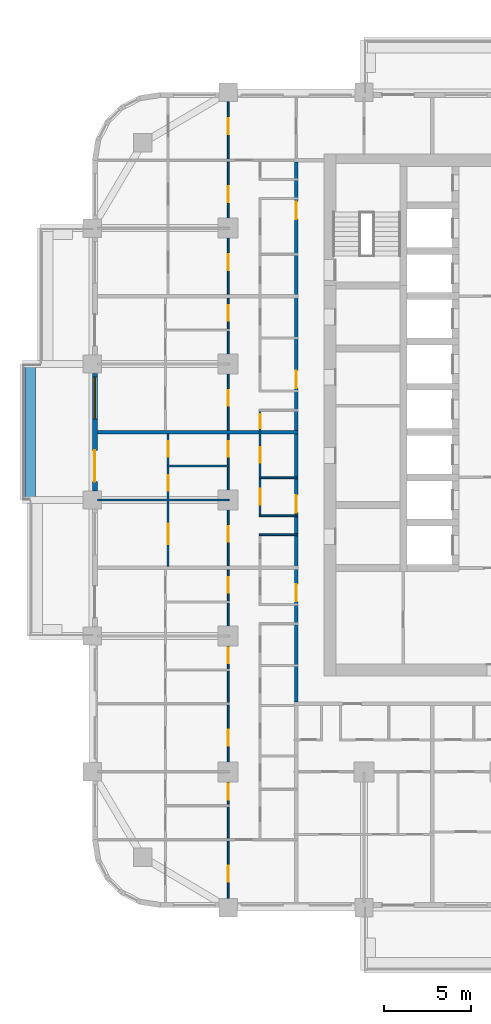
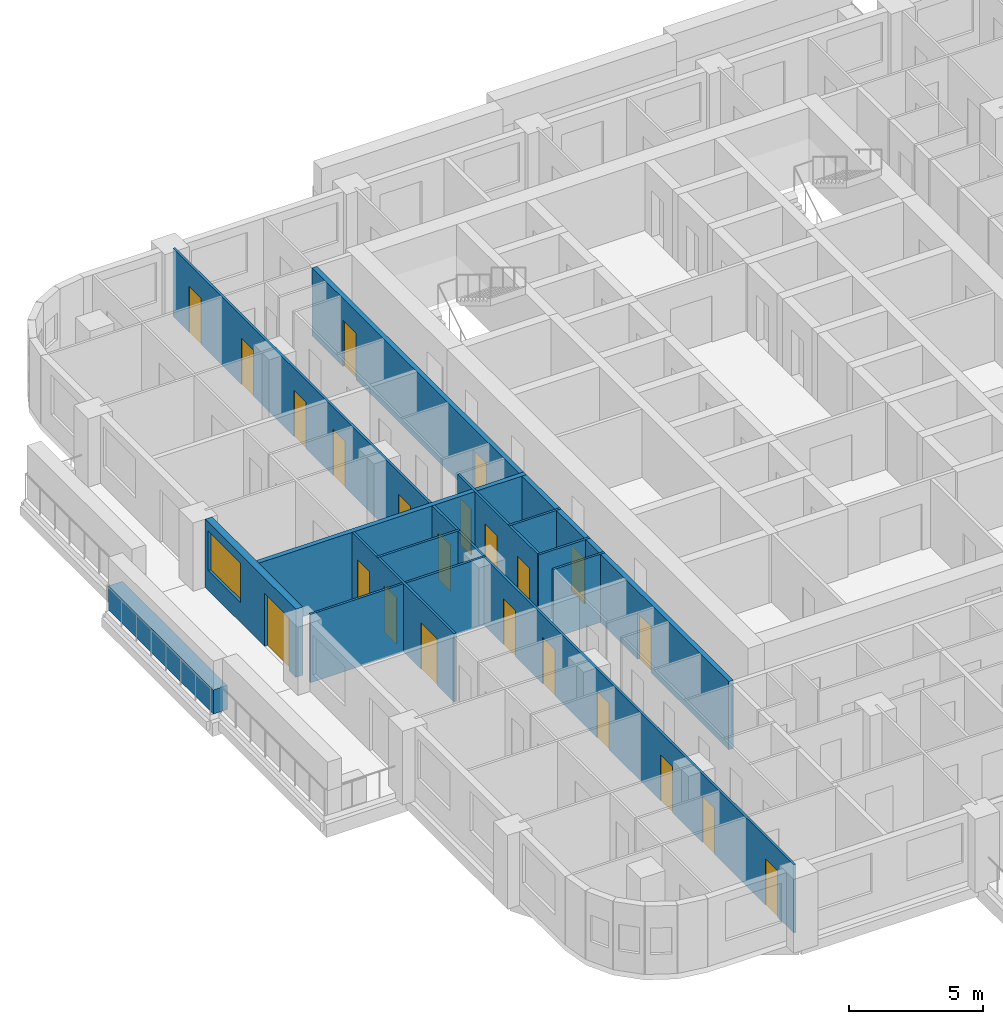
# One storey, part 5 of 17: 23 doors, 12 walls, 1 window, 24 openings.
"""IFC4 building model written with IfcOpenShell, lengths in metres."""

import ifcopenshell
import ifcopenshell.guid

model = None  # the IFC model being written
_history = None  # IfcOwnerHistory: only IFC2X3 demands one
_inside = {}  # id of a spatial element -> (the spatial element, [elements in it])
_under = {}  # id of a project, library or spatial element -> (it, [spatial elements below it])
_declared = {}  # id of a project -> (the project, [libraries it declares])
_typed = {}  # id of a type object -> (the type object, [elements of that type])
_made_of = {}  # id of a material, layer set ... -> (it, [elements and type objects made of it])


def new_model(schema):
    """Start an empty IFC model of exactly this schema.

    Asked for "IFC4X3", IfcOpenShell would pick the latest addendum, in which some entities
    have other attributes; the version numbers below select the first issue.
    IFC2X3 requires an IfcOwnerHistory on every rooted entity: one is made here for all.
    """
    global model, _history
    if schema == "IFC4X3":
        model = ifcopenshell.file(schema_version=(4, 3, 0, 0))
    else:
        model = ifcopenshell.file(schema=schema)
    _inside.clear()
    _under.clear()
    _declared.clear()
    _typed.clear()
    _made_of.clear()
    _history = None
    if model.schema == "IFC2X3":
        org = make("IfcOrganization", Name="unknown")
        user = make(
            "IfcPersonAndOrganization",
            ThePerson=make("IfcPerson", FamilyName="unknown"),
            TheOrganization=org,
        )
        app = make(
            "IfcApplication",
            ApplicationDeveloper=org,
            Version="unknown",
            ApplicationFullName="unknown",
            ApplicationIdentifier="unknown",
        )
        _history = make(
            "IfcOwnerHistory",
            OwningUser=user,
            OwningApplication=app,
            ChangeAction="ADDED",
            CreationDate=0,
        )
    return model


def make(cls, **values):
    """One entity of the class cls with the attributes given. An attribute that is None is left unset."""
    return model.create_entity(
        cls, **{name: value for name, value in values.items() if value is not None}
    )


def rooted(cls, **values):
    """An entity with a GlobalId (a new one), such as an element, a storey or a relation."""
    return make(cls, GlobalId=ifcopenshell.guid.new(), OwnerHistory=_history, **values)


def si_unit(unit_type, name, prefix=None):
    """IfcSIUnit, for example si_unit("LENGTHUNIT", "METRE", prefix="MILLI")."""
    return make("IfcSIUnit", UnitType=unit_type, Prefix=prefix, Name=name)


def assignment(units):
    """IfcUnitAssignment: the units of a project."""
    return None if units is None else make("IfcUnitAssignment", Units=units)


def point(xyz):
    """IfcCartesianPoint."""
    return None if xyz is None else make("IfcCartesianPoint", Coordinates=xyz)


def direction(xyz):
    """IfcDirection."""
    return None if xyz is None else make("IfcDirection", DirectionRatios=xyz)


def frame(location, z_axis=None, x_axis=None):
    """IfcAxis2Placement3D, a coordinate frame: its origin and axes. An axis left out is left unset."""
    return make(
        "IfcAxis2Placement3D",
        Location=point(location),
        Axis=direction(z_axis),
        RefDirection=direction(x_axis),
    )


def frame_2d(location, x_axis=None):
    """IfcAxis2Placement2D, a coordinate frame in the plane: its origin and x axis."""
    return make(
        "IfcAxis2Placement2D", Location=point(location), RefDirection=direction(x_axis)
    )


def origin():
    """The frame at (0, 0, 0) with its axes left unset."""
    return frame((0.0, 0.0, 0.0))


def place(relative_to, where):
    """IfcLocalPlacement: puts the frame where relative to a parent placement (None: the world)."""
    return make(
        "IfcLocalPlacement", PlacementRelTo=relative_to, RelativePlacement=where
    )


def context(
    kind, dimensions, precision=None, world=None, true_north=None, identifier=None
):
    """IfcGeometricRepresentationContext, for example the 3D "Model" context."""
    return make(
        "IfcGeometricRepresentationContext",
        ContextIdentifier=identifier,
        ContextType=kind,
        CoordinateSpaceDimension=dimensions,
        Precision=precision,
        WorldCoordinateSystem=world,
        TrueNorth=true_north,
    )


def subcontext(parent, identifier, kind, view, scale=None):
    """IfcGeometricRepresentationSubContext, for example "Body" below "Model"."""
    return make(
        "IfcGeometricRepresentationSubContext",
        ContextIdentifier=identifier,
        ContextType=kind,
        ParentContext=parent,
        TargetScale=scale,
        TargetView=view,
    )


def project(units=None, contexts=None):
    """IfcProject with its units and contexts."""
    return rooted(
        "IfcProject",
        Name="project",
        RepresentationContexts=contexts,
        UnitsInContext=assignment(units),
    )


def spatial(cls, under=None, at=None, **own):
    """A site, building, storey or space (cls), placed at a placement, below another one or the project."""
    s = rooted(cls, ObjectPlacement=at, **own)
    if under is not None:
        _under.setdefault(under.id(), (under, []))[1].append(s)
    return s


def profile(cls, at=None, kind="AREA", **sizes):
    """A parametric profile (cls). Its sizes go by their IFC names, for example OverallWidth=200.0."""
    return make(cls, ProfileType=kind, Position=at, **sizes)


def rectangle(**sizes):
    """IfcRectangleProfileDef."""
    return profile("IfcRectangleProfileDef", **sizes)


def extrude(swept, where, along, depth):
    """IfcExtrudedAreaSolid: the profile swept, set in the frame where, extruded along a direction by depth."""
    return make(
        "IfcExtrudedAreaSolid",
        SweptArea=swept,
        Position=where,
        ExtrudedDirection=direction(along),
        Depth=depth,
    )


def shape(context_of_items, identifier, shape_type, items):
    """IfcShapeRepresentation: the items that make up one representation, for example the "Body"."""
    return make(
        "IfcShapeRepresentation",
        ContextOfItems=context_of_items,
        RepresentationIdentifier=identifier,
        RepresentationType=shape_type,
        Items=items,
    )


def material(Name=None, Category=None):
    """IfcMaterial."""
    return make("IfcMaterial", Name=Name, Category=Category)


def layer(
    of_material, thickness, ventilated=None, Name=None, Category=None, Priority=None
):
    """IfcMaterialLayer: one layer of a wall or slab, of a material (None: an air gap)."""
    return make(
        "IfcMaterialLayer",
        Material=of_material,
        LayerThickness=thickness,
        IsVentilated=ventilated,
        Name=Name,
        Category=Category,
        Priority=Priority,
    )


def layer_set(layers, Name=None):
    """IfcMaterialLayerSet."""
    return make("IfcMaterialLayerSet", MaterialLayers=layers, LayerSetName=Name)


def made_of(thing, what):
    """Note that an element or type object is made of a material, layer set ...; save() writes the relation."""
    if what is not None:
        _made_of.setdefault(what.id(), (what, []))[1].append(thing)
    return thing


def type_object(cls, material=None, **own):
    """A type object (cls), such as IfcWallType, which elements share."""
    return made_of(rooted(cls, **own), material)


def element(
    cls,
    number,
    at=None,
    inside=None,
    cuts=None,
    type_object=None,
    material=None,
    context=None,
    identifier="Body",
    shape_type=None,
    held_by="IfcProductDefinitionShape",
    body=None,
    shapes=None,
    **own,
):
    """One element of the class cls, such as IfcWall. Its Tag is "e" and its number.

    at: its placement. inside: the storey or other place that contains it. cuts: it is an
    opening in that element (IfcRelVoidsElement). A single representation is given by context,
    identifier, shape_type and body (its items); several are given by shapes. held_by: the class
    of the entity that holds the representations. save() writes the other relations.
    """
    e = rooted(cls, Tag="e%d" % number, ObjectPlacement=at, **own)
    if body is not None:
        shapes = [shape(context, identifier, shape_type, body)]
    if shapes is not None:
        e.Representation = make(held_by, Representations=shapes)
    if inside is not None:
        _inside.setdefault(inside.id(), (inside, []))[1].append(e)
    if cuts is not None:
        rooted(
            "IfcRelVoidsElement", RelatingBuildingElement=cuts, RelatedOpeningElement=e
        )
    if type_object is not None:
        _typed.setdefault(type_object.id(), (type_object, []))[1].append(e)
    return made_of(e, material)


def fill(opening, filler):
    """IfcRelFillsElement: the door or window that sits in an opening."""
    return rooted(
        "IfcRelFillsElement",
        RelatingOpeningElement=opening,
        RelatedBuildingElement=filler,
    )


def aggregate(whole, parts):
    """IfcRelAggregates: a whole, such as a stair, and the parts it consists of."""
    return rooted("IfcRelAggregates", RelatingObject=whole, RelatedObjects=parts)


def save(model, path):
    """Write the relations noted so far, then the file.

    IfcRelAggregates (storeys below a building ...), IfcRelContainedInSpatialStructure (elements
    in a storey), IfcRelDefinesByType, IfcRelAssociatesMaterial and IfcRelDeclares: one each for
    every whole, place, type object, material and project.
    """
    for whole, parts in _under.values():
        aggregate(whole, parts)
    for where, things in _inside.values():
        rooted(
            "IfcRelContainedInSpatialStructure",
            RelatedElements=things,
            RelatingStructure=where,
        )
    for kind, things in _typed.values():
        rooted("IfcRelDefinesByType", RelatedObjects=things, RelatingType=kind)
    for what, things in _made_of.values():
        rooted("IfcRelAssociatesMaterial", RelatedObjects=things, RelatingMaterial=what)
    for by, libraries in _declared.values():
        rooted("IfcRelDeclares", RelatingContext=by, RelatedDefinitions=libraries)
    model.write(path)


model = new_model("IFC4")

# Units and contexts
model_context = context("Model", 3, precision=1e-05, world=origin(), true_north=direction((0.0, 1.0)))
body_context = subcontext(model_context, "Body", "Model", "MODEL_VIEW")
ifc_project = project(units=[si_unit("LENGTHUNIT", "METRE"), si_unit("AREAUNIT", "SQUARE_METRE"), si_unit("VOLUMEUNIT", "CUBIC_METRE"), si_unit("PLANEANGLEUNIT", "RADIAN"), si_unit("MASSUNIT", "GRAM", prefix="KILO")], contexts=[model_context])

# Site, building, storey
site_placement = place(None, origin())
site = spatial("IfcSite", under=ifc_project, at=site_placement, CompositionType="ELEMENT")
building_placement = place(site_placement, origin())
building = spatial("IfcBuilding", under=site, at=building_placement, Name="Ludao Terraces", CompositionType="ELEMENT")
storey_placement = place(building_placement, frame((0.0, 0.0, 43.300048828125)))
storey = spatial("IfcBuildingStorey", under=building, at=storey_placement, Name="L11", CompositionType="ELEMENT", Elevation=43.300048828125)

# Wall
ifc_material_1 = material(Name="Concrete C40", Category="concrete")
ifc_layer_1 = layer(ifc_material_1, 0.60009765625)
ifc_layer_set_1 = layer_set([ifc_layer_1], Name="ENV Planter trough 600")
wall_type_1 = type_object("IfcWallType", Name="ENV Planter trough 600", PredefinedType="USERDEFINED", material=ifc_layer_set_1)
wall_1_placement = place(storey_placement, frame((58.050048828125, 65.0, 0.0), z_axis=(0.0, 0.0, 1.0), x_axis=(0.0, 1.0, 0.0)))
element("IfcWall", 1, at=wall_1_placement, inside=storey, type_object=wall_type_1, Name="PL-L11-W3", ObjectType="PLANTER", PredefinedType="USERDEFINED", context=body_context, shape_type="SweptSolid", body=[
    extrude(rectangle(XDim=7.800048828125, YDim=0.60009765625, at=frame_2d((3.89990234375, 0.0))), origin(), (0.0, 0.0, 1.0), 1.099853515625),
])

# Wall, openings, door, window
ifc_material_2 = material(Name="Granite cladding", Category="masonry")
ifc_layer_2 = layer(ifc_material_2, 0.0400390625, Category="stone")
ifc_material_3 = material(Name="Mineral wool")
ifc_layer_3 = layer(ifc_material_3, 0.06005859375)
ifc_layer_4 = layer(ifc_material_1, 0.199951171875, Category="concrete")
ifc_layer_set_2 = layer_set([ifc_layer_2, ifc_layer_3, ifc_layer_4], Name="ENV Stone-clad wall 300")
wall_type_2 = type_object("IfcWallType", Name="ENV Stone-clad wall 300", PredefinedType="SOLIDWALL", material=ifc_layer_set_2)
wall_2_placement = place(storey_placement, frame((61.75, 65.52490234375, 0.0), z_axis=(0.0, 0.0, 1.0), x_axis=(0.0, 1.0, 0.0)))
wall_2 = element("IfcWall", 2, at=wall_2_placement, inside=storey, type_object=wall_type_2, Name="EW-L11-W4", PredefinedType="SOLIDWALL", context=body_context, shape_type="SweptSolid", body=[
    extrude(rectangle(XDim=6.75, YDim=0.300048828125, at=frame_2d((3.375, 0.0))), origin(), (0.0, 0.0, 1.0), 3.099853515625),
])
opening_1_placement = place(wall_2_placement, frame((0.52490234375, 0.0, 0.0)))
opening_1 = element("IfcOpeningElement", 3, at=opening_1_placement, cuts=wall_2, Name="Opening BD", PredefinedType="OPENING", context=body_context, shape_type="SweptSolid", body=[
    extrude(rectangle(XDim=1.800048828125, YDim=2.39990234375, at=frame_2d((0.89990234375, 1.199951171875))), frame((0.0, 0.16015625, 0.0), z_axis=(0.0, -1.0, 0.0), x_axis=(1.0, 0.0, 0.0)), (0.0, 0.0, 1.0), 0.320068359375),
])
opening_2_placement = place(wall_2_placement, frame((4.125, 0.0, 0.89990234375)))
opening_2 = element("IfcOpeningElement", 4, at=opening_2_placement, cuts=wall_2, Name="Opening W1", PredefinedType="OPENING", context=body_context, shape_type="SweptSolid", body=[
    extrude(rectangle(XDim=2.39990234375, YDim=1.800048828125, at=frame_2d((1.199951171875, 0.89990234375))), frame((0.0, 0.16015625, 0.0), z_axis=(0.0, -1.0, 0.0), x_axis=(1.0, 0.0, 0.0)), (0.0, 0.0, 1.0), 0.320068359375),
])
ifc_material_4 = material(Name="Aluminium glazed door", Category="aluminium")
ifc_layer_5 = layer(ifc_material_4, 0.06005859375)
ifc_layer_set_3 = layer_set([ifc_layer_5], Name="ENV Balcony door BD 1800x2400")
door_type_1 = type_object("IfcDoorType", Name="ENV Balcony door BD 1800x2400", OperationType="DOUBLE_DOOR_SINGLE_SWING", PredefinedType="DOOR", material=ifc_layer_set_3)
door_1_placement = place(opening_1_placement, origin())
door_1 = element("IfcDoor", 5, at=door_1_placement, inside=storey, type_object=door_type_1, Name="BD-L11-W4-1", OperationType="DOUBLE_DOOR_SINGLE_SWING", OverallHeight=2.39990234375, OverallWidth=1.800048828125, PredefinedType="DOOR", context=body_context, shape_type="SweptSolid", body=[
    extrude(rectangle(XDim=1.800048828125, YDim=2.39990234375, at=frame_2d((0.89990234375, 1.199951171875))), frame((0.0, 0.02490234375, 0.0), z_axis=(0.0, -1.0, 0.0), x_axis=(1.0, 0.0, 0.0)), (0.0, 0.0, 1.0), 0.050048828125),
])
fill(opening_1, door_1)
ifc_material_5 = material(Name="Clear glass in aluminium frame", Category="aluminium")
ifc_layer_6 = layer(ifc_material_5, 0.06005859375)
ifc_layer_set_4 = layer_set([ifc_layer_6], Name="ENV Window W1 2400x1800")
window_type = type_object("IfcWindowType", Name="ENV Window W1 2400x1800", PartitioningType="DOUBLE_PANEL_VERTICAL", PredefinedType="WINDOW", material=ifc_layer_set_4)
window_placement = place(opening_2_placement, origin())
window = element("IfcWindow", 6, at=window_placement, inside=storey, type_object=window_type, Name="W-L11-W4-2", OverallHeight=1.800048828125, OverallWidth=2.39990234375, PartitioningType="DOUBLE_PANEL_VERTICAL", PredefinedType="WINDOW", context=body_context, shape_type="SweptSolid", body=[
    extrude(rectangle(XDim=2.39990234375, YDim=1.800048828125, at=frame_2d((1.199951171875, 0.89990234375))), frame((0.0, 0.030029296875, 0.0), z_axis=(0.0, -1.0, 0.0), x_axis=(1.0, 0.0, 0.0)), (0.0, 0.0, 1.0), 0.06005859375),
])
fill(opening_2, window)

# Wall, openings, doors
ifc_material_6 = material(Name="Autoclaved aerated concrete block B06 A3.5", Category="concrete")
ifc_layer_7 = layer(ifc_material_6, 0.199951171875)
ifc_layer_set_5 = layer_set([ifc_layer_7], Name="INT Entrance wall 200")
wall_type_3 = type_object("IfcWallType", Name="INT Entrance wall 200", PredefinedType="PARTITIONING", material=ifc_layer_set_5)
wall_3_placement = place(storey_placement, frame((73.300048828125, 53.400146484375, 0.0), z_axis=(0.0, 0.0, 1.0), x_axis=(0.0, 1.0, 0.0)))
wall_3 = element("IfcWall", 7, at=wall_3_placement, inside=storey, type_object=wall_type_3, Name="PW-L11-PW090", PredefinedType="PARTITIONING", context=body_context, shape_type="SweptSolid", body=[
    extrude(rectangle(XDim=31.0, YDim=0.199951171875, at=frame_2d((15.5, 0.0))), origin(), (0.0, 0.0, 1.0), 3.099853515625),
])
opening_3_placement = place(wall_3_placement, frame((5.77490234375, 0.0, 0.0)))
opening_3 = element("IfcOpeningElement", 8, at=opening_3_placement, cuts=wall_3, Name="Opening R03-067", PredefinedType="OPENING", context=body_context, shape_type="SweptSolid", body=[
    extrude(rectangle(XDim=1.0, YDim=2.10009765625, at=frame_2d((0.5, 1.050048828125))), frame((0.0, 0.10986328125, 0.0), z_axis=(0.0, -1.0, 0.0), x_axis=(1.0, 0.0, 0.0)), (0.0, 0.0, 1.0), 0.219970703125),
])
opening_4_placement = place(wall_3_placement, frame((10.875, 0.0, 0.0)))
opening_4 = element("IfcOpeningElement", 9, at=opening_4_placement, cuts=wall_3, Name="Opening R03-085", PredefinedType="OPENING", context=body_context, shape_type="SweptSolid", body=[
    extrude(rectangle(XDim=1.0, YDim=2.10009765625, at=frame_2d((0.5, 1.050048828125))), frame((0.0, 0.10986328125, 0.0), z_axis=(0.0, -1.0, 0.0), x_axis=(1.0, 0.0, 0.0)), (0.0, 0.0, 1.0), 0.219970703125),
])
opening_5_placement = place(wall_3_placement, frame((18.02490234375, 0.0, 0.0)))
opening_5 = element("IfcOpeningElement", 10, at=opening_5_placement, cuts=wall_3, Name="Opening R03-108", PredefinedType="OPENING", context=body_context, shape_type="SweptSolid", body=[
    extrude(rectangle(XDim=1.0, YDim=2.10009765625, at=frame_2d((0.5, 1.050048828125))), frame((0.0, 0.10986328125, 0.0), z_axis=(0.0, -1.0, 0.0), x_axis=(1.0, 0.0, 0.0)), (0.0, 0.0, 1.0), 0.219970703125),
])
opening_6_placement = place(wall_3_placement, frame((27.72509765625, 0.0, 0.0)))
opening_6 = element("IfcOpeningElement", 11, at=opening_6_placement, cuts=wall_3, Name="Opening R03-144", PredefinedType="OPENING", context=body_context, shape_type="SweptSolid", body=[
    extrude(rectangle(XDim=1.0, YDim=2.10009765625, at=frame_2d((0.5, 1.050048828125))), frame((0.0, 0.10986328125, 0.0), z_axis=(0.0, -1.0, 0.0), x_axis=(1.0, 0.0, 0.0)), (0.0, 0.0, 1.0), 0.219970703125),
])
ifc_material_7 = material(Name="Steel Q235", Category="steel")
door_type_2 = type_object("IfcDoorType", Name="INT Flat entrance door 1000", OperationType="SINGLE_SWING_LEFT", PredefinedType="DOOR", material=ifc_material_7)
door_2_placement = place(opening_3_placement, origin())
door_2 = element("IfcDoor", 12, at=door_2_placement, inside=storey, type_object=door_type_2, Name="DOOR 067", OperationType="SINGLE_SWING_RIGHT", OverallHeight=2.10009765625, OverallWidth=1.0, PredefinedType="DOOR", context=body_context, shape_type="SweptSolid", body=[
    extrude(rectangle(XDim=1.0, YDim=2.10009765625, at=frame_2d((0.5, 1.050048828125))), frame((0.0, 0.02490234375, 0.0), z_axis=(0.0, -1.0, 0.0), x_axis=(1.0, 0.0, 0.0)), (0.0, 0.0, 1.0), 0.050048828125),
])
fill(opening_3, door_2)
door_3_placement = place(opening_4_placement, origin())
door_3 = element("IfcDoor", 13, at=door_3_placement, inside=storey, type_object=door_type_2, Name="DOOR 085", OperationType="SINGLE_SWING_RIGHT", OverallHeight=2.10009765625, OverallWidth=1.0, PredefinedType="DOOR", context=body_context, shape_type="SweptSolid", body=[
    extrude(rectangle(XDim=1.0, YDim=2.10009765625, at=frame_2d((0.5, 1.050048828125))), frame((0.0, 0.02490234375, 0.0), z_axis=(0.0, -1.0, 0.0), x_axis=(1.0, 0.0, 0.0)), (0.0, 0.0, 1.0), 0.050048828125),
])
fill(opening_4, door_3)
door_4_placement = place(opening_5_placement, origin())
door_4 = element("IfcDoor", 14, at=door_4_placement, inside=storey, type_object=door_type_2, Name="DOOR 108", OperationType="SINGLE_SWING_RIGHT", OverallHeight=2.10009765625, OverallWidth=1.0, PredefinedType="DOOR", context=body_context, shape_type="SweptSolid", body=[
    extrude(rectangle(XDim=1.0, YDim=2.10009765625, at=frame_2d((0.5, 1.050048828125))), frame((0.0, 0.02490234375, 0.0), z_axis=(0.0, -1.0, 0.0), x_axis=(1.0, 0.0, 0.0)), (0.0, 0.0, 1.0), 0.050048828125),
])
fill(opening_5, door_4)
door_5_placement = place(opening_6_placement, origin())
door_5 = element("IfcDoor", 15, at=door_5_placement, inside=storey, type_object=door_type_2, Name="DOOR 144", OperationType="SINGLE_SWING_LEFT", OverallHeight=2.10009765625, OverallWidth=1.0, PredefinedType="DOOR", context=body_context, shape_type="SweptSolid", body=[
    extrude(rectangle(XDim=1.0, YDim=2.10009765625, at=frame_2d((0.5, 1.050048828125))), frame((0.0, 0.02490234375, 0.0), z_axis=(0.0, -1.0, 0.0), x_axis=(1.0, 0.0, 0.0)), (0.0, 0.0, 1.0), 0.050048828125),
])
fill(opening_6, door_5)

# Walls
ifc_material_8 = material(Name="Gypsum plasterboard", Category="gypsum")
ifc_layer_8 = layer(ifc_material_8, 0.012451171875, Category="gypsum")
ifc_layer_9 = layer(ifc_material_3, 0.06005859375, Name="insulation")
ifc_layer_10 = layer(ifc_material_7, 0.014892578125, Name="stud")
ifc_layer_11 = layer(ifc_material_8, 0.012451171875, Category="gypsum")
ifc_layer_set_6 = layer_set([ifc_layer_8, ifc_layer_9, ifc_layer_10, ifc_layer_11], Name="INT Partition 100")
wall_type_4 = type_object("IfcWallType", Name="INT Partition 100", PredefinedType="PARTITIONING", material=ifc_layer_set_6)
for number, where, z_axis, x_axis, name in (
    (16, (71.18017578125, 63.0, 0.0), (0.0, 0.0, 1.0), (1.0, 0.0, 0.0), "PW-L11-PW038"),
    (17, (71.18017578125, 64.10009765625, 0.0), (0.0, 0.0, 1.0), (1.0, 0.0, 0.0), "PW-L11-PW041"),
):
    element("IfcWall", number, at=place(storey_placement, frame(where, z_axis=z_axis, x_axis=x_axis)), inside=storey, type_object=wall_type_4, Name=name, PredefinedType="PARTITIONING", context=body_context, shape_type="SweptSolid", body=[
        extrude(rectangle(XDim=2.219970703125, YDim=0.10009765625, at=frame_2d((1.10986328125, 0.0))), origin(), (0.0, 0.0, 1.0), 3.099853515625),
    ])
wall_4_placement = place(storey_placement, frame((61.900146484375, 65.0, 0.0), z_axis=(0.0, 0.0, 1.0), x_axis=(1.0, 0.0, 0.0)))
element("IfcWall", 18, at=wall_4_placement, inside=storey, type_object=wall_type_4, Name="PW-L11-PW043", PredefinedType="PARTITIONING", context=body_context, shape_type="SweptSolid", body=[
    extrude(rectangle(XDim=7.550048828125, YDim=0.10009765625, at=frame_2d((3.77490234375, 0.0))), origin(), (0.0, 0.0, 1.0), 3.099853515625),
])
wall_5_placement = place(storey_placement, frame((71.18017578125, 66.280029296875, 0.0), z_axis=(0.0, 0.0, 1.0), x_axis=(1.0, 0.0, 0.0)))
element("IfcWall", 19, at=wall_5_placement, inside=storey, type_object=wall_type_4, Name="PW-L11-PW045", PredefinedType="PARTITIONING", context=body_context, shape_type="SweptSolid", body=[
    extrude(rectangle(XDim=2.219970703125, YDim=0.10009765625, at=frame_2d((1.10986328125, 0.0))), origin(), (0.0, 0.0, 1.0), 3.099853515625),
])
wall_6_placement = place(storey_placement, frame((65.900146484375, 66.949951171875, 0.0), z_axis=(0.0, 0.0, 1.0), x_axis=(1.0, 0.0, 0.0)))
element("IfcWall", 20, at=wall_6_placement, inside=storey, type_object=wall_type_4, Name="PW-L11-PW047", PredefinedType="PARTITIONING", context=body_context, shape_type="SweptSolid", body=[
    extrude(rectangle(XDim=3.550048828125, YDim=0.10009765625, at=frame_2d((1.77490234375, 0.0))), origin(), (0.0, 0.0, 1.0), 3.099853515625),
])

# Wall, openings, doors
wall_7_placement = place(storey_placement, frame((65.949951171875, 61.2001953125, 0.0), z_axis=(0.0, 0.0, 1.0), x_axis=(0.0, 1.0, 0.0)))
wall_7 = element("IfcWall", 21, at=wall_7_placement, inside=storey, type_object=wall_type_4, Name="PW-L11-PW081", PredefinedType="PARTITIONING", context=body_context, shape_type="SweptSolid", body=[
    extrude(rectangle(XDim=7.599853515625, YDim=0.10009765625, at=frame_2d((3.7998046875, 0.0))), origin(), (0.0, 0.0, 1.0), 3.099853515625),
])
opening_7_placement = place(wall_7_placement, frame((1.25, 0.0, 0.0)))
opening_7 = element("IfcOpeningElement", 22, at=opening_7_placement, cuts=wall_7, Name="Opening R03-080", PredefinedType="OPENING", context=body_context, shape_type="SweptSolid", body=[
    extrude(rectangle(XDim=1.199951171875, YDim=2.10009765625, at=frame_2d((0.60009765625, 1.050048828125))), frame((0.0, 0.06005859375, 0.0), z_axis=(0.0, -1.0, 0.0), x_axis=(1.0, 0.0, 0.0)), (0.0, 0.0, 1.0), 0.1201171875),
])
opening_8_placement = place(wall_7_placement, frame((4.324951171875, 0.0, 0.0)))
opening_8 = element("IfcOpeningElement", 23, at=opening_8_placement, cuts=wall_7, Name="Opening R03-090", PredefinedType="OPENING", context=body_context, shape_type="SweptSolid", body=[
    extrude(rectangle(XDim=0.89990234375, YDim=2.10009765625, at=frame_2d((0.449951171875, 1.050048828125))), frame((0.0, 0.06005859375, 0.0), z_axis=(0.0, -1.0, 0.0), x_axis=(1.0, 0.0, 0.0)), (0.0, 0.0, 1.0), 0.1201171875),
])
opening_9_placement = place(wall_7_placement, frame((6.27490234375, 0.0, 0.0)))
opening_9 = element("IfcOpeningElement", 24, at=opening_9_placement, cuts=wall_7, Name="Opening R03-098", PredefinedType="OPENING", context=body_context, shape_type="SweptSolid", body=[
    extrude(rectangle(XDim=0.89990234375, YDim=2.10009765625, at=frame_2d((0.449951171875, 1.050048828125))), frame((0.0, 0.06005859375, 0.0), z_axis=(0.0, -1.0, 0.0), x_axis=(1.0, 0.0, 0.0)), (0.0, 0.0, 1.0), 0.1201171875),
])
ifc_material_9 = material(Name="Timber door leaf", Category="wood")
door_type_3 = type_object("IfcDoorType", Name="INT Bathroom door 900", OperationType="SINGLE_SWING_LEFT", PredefinedType="DOOR", material=ifc_material_9)
door_6_placement = place(opening_8_placement, origin())
door_6 = element("IfcDoor", 25, at=door_6_placement, inside=storey, type_object=door_type_3, Name="DOOR 090", OperationType="SINGLE_SWING_LEFT", OverallHeight=2.10009765625, OverallWidth=0.89990234375, PredefinedType="DOOR", context=body_context, shape_type="SweptSolid", body=[
    extrude(rectangle(XDim=0.89990234375, YDim=2.10009765625, at=frame_2d((0.449951171875, 1.050048828125))), frame((0.0, 0.02490234375, 0.0), z_axis=(0.0, -1.0, 0.0), x_axis=(1.0, 0.0, 0.0)), (0.0, 0.0, 1.0), 0.050048828125),
])
fill(opening_8, door_6)
door_type_4 = type_object("IfcDoorType", Name="INT Double door 1200", OperationType="DOUBLE_DOOR_SINGLE_SWING", PredefinedType="DOOR", material=ifc_material_9)
door_7_placement = place(opening_7_placement, origin())
door_7 = element("IfcDoor", 26, at=door_7_placement, inside=storey, type_object=door_type_4, Name="DOOR 080", OperationType="DOUBLE_DOOR_SINGLE_SWING", OverallHeight=2.10009765625, OverallWidth=1.199951171875, PredefinedType="DOOR", context=body_context, shape_type="SweptSolid", body=[
    extrude(rectangle(XDim=1.199951171875, YDim=2.10009765625, at=frame_2d((0.60009765625, 1.050048828125))), frame((0.0, 0.02490234375, 0.0), z_axis=(0.0, -1.0, 0.0), x_axis=(1.0, 0.0, 0.0)), (0.0, 0.0, 1.0), 0.050048828125),
])
fill(opening_7, door_7)
door_type_5 = type_object("IfcDoorType", Name="INT Room door 900", OperationType="SINGLE_SWING_LEFT", PredefinedType="DOOR", material=ifc_material_9)
door_8_placement = place(opening_9_placement, origin())
door_8 = element("IfcDoor", 27, at=door_8_placement, inside=storey, type_object=door_type_5, Name="DOOR 098", OperationType="SINGLE_SWING_LEFT", OverallHeight=2.10009765625, OverallWidth=0.89990234375, PredefinedType="DOOR", context=body_context, shape_type="SweptSolid", body=[
    extrude(rectangle(XDim=0.89990234375, YDim=2.10009765625, at=frame_2d((0.449951171875, 1.050048828125))), frame((0.0, 0.02490234375, 0.0), z_axis=(0.0, -1.0, 0.0), x_axis=(1.0, 0.0, 0.0)), (0.0, 0.0, 1.0), 0.050048828125),
])
fill(opening_9, door_8)

wall_8_placement = place(storey_placement, frame((69.39990234375, 41.900146484375, 0.0), z_axis=(0.0, 0.0, 1.0), x_axis=(0.0, 1.0, 0.0)))
wall_8 = element("IfcWall", 28, at=wall_8_placement, inside=storey, type_object=wall_type_4, Name="PW-L11-PW083", PredefinedType="PARTITIONING", context=body_context, shape_type="SweptSolid", body=[
    extrude(rectangle(XDim=46.199951171875, YDim=0.10009765625, at=frame_2d((23.10009765625, 0.0))), origin(), (0.0, 0.0, 1.0), 3.099853515625),
])
opening_10_placement = place(wall_8_placement, frame((1.199951171875, 0.0, 0.0)))
opening_10 = element("IfcOpeningElement", 29, at=opening_10_placement, cuts=wall_8, Name="Opening R03-002", PredefinedType="OPENING", context=body_context, shape_type="SweptSolid", body=[
    extrude(rectangle(XDim=0.89990234375, YDim=2.10009765625, at=frame_2d((0.449951171875, 1.050048828125))), frame((0.0, 0.06005859375, 0.0), z_axis=(0.0, -1.0, 0.0), x_axis=(1.0, 0.0, 0.0)), (0.0, 0.0, 1.0), 0.1201171875),
])
opening_11_placement = place(wall_8_placement, frame((5.89990234375, 0.0, 0.0)))
opening_11 = element("IfcOpeningElement", 30, at=opening_11_placement, cuts=wall_8, Name="Opening R03-020", PredefinedType="OPENING", context=body_context, shape_type="SweptSolid", body=[
    extrude(rectangle(XDim=0.89990234375, YDim=2.10009765625, at=frame_2d((0.449951171875, 1.050048828125))), frame((0.0, 0.06005859375, 0.0), z_axis=(0.0, -1.0, 0.0), x_axis=(1.0, 0.0, 0.0)), (0.0, 0.0, 1.0), 0.1201171875),
])
opening_12_placement = place(wall_8_placement, frame((9.0, 0.0, 0.0)))
opening_12 = element("IfcOpeningElement", 31, at=opening_12_placement, cuts=wall_8, Name="Opening R03-042", PredefinedType="OPENING", context=body_context, shape_type="SweptSolid", body=[
    extrude(rectangle(XDim=0.89990234375, YDim=2.10009765625, at=frame_2d((0.449951171875, 1.050048828125))), frame((0.0, 0.06005859375, 0.0), z_axis=(0.0, -1.0, 0.0), x_axis=(1.0, 0.0, 0.0)), (0.0, 0.0, 1.0), 0.1201171875),
])
opening_13_placement = place(wall_8_placement, frame((13.72509765625, 0.0, 0.0)))
opening_13 = element("IfcOpeningElement", 32, at=opening_13_placement, cuts=wall_8, Name="Opening R03-055", PredefinedType="OPENING", context=body_context, shape_type="SweptSolid", body=[
    extrude(rectangle(XDim=0.89990234375, YDim=2.10009765625, at=frame_2d((0.449951171875, 1.050048828125))), frame((0.0, 0.06005859375, 0.0), z_axis=(0.0, -1.0, 0.0), x_axis=(1.0, 0.0, 0.0)), (0.0, 0.0, 1.0), 0.1201171875),
])
opening_14_placement = place(wall_8_placement, frame((17.77490234375, 0.0, 0.0)))
opening_14 = element("IfcOpeningElement", 33, at=opening_14_placement, cuts=wall_8, Name="Opening R03-070", PredefinedType="OPENING", context=body_context, shape_type="SweptSolid", body=[
    extrude(rectangle(XDim=0.89990234375, YDim=2.10009765625, at=frame_2d((0.449951171875, 1.050048828125))), frame((0.0, 0.06005859375, 0.0), z_axis=(0.0, -1.0, 0.0), x_axis=(1.0, 0.0, 0.0)), (0.0, 0.0, 1.0), 0.1201171875),
])
opening_15_placement = place(wall_8_placement, frame((20.699951171875, 0.0, 0.0)))
opening_15 = element("IfcOpeningElement", 34, at=opening_15_placement, cuts=wall_8, Name="Opening R03-081", PredefinedType="OPENING", context=body_context, shape_type="SweptSolid", body=[
    extrude(rectangle(XDim=0.89990234375, YDim=2.10009765625, at=frame_2d((0.449951171875, 1.050048828125))), frame((0.0, 0.06005859375, 0.0), z_axis=(0.0, -1.0, 0.0), x_axis=(1.0, 0.0, 0.0)), (0.0, 0.0, 1.0), 0.1201171875),
])
opening_16_placement = place(wall_8_placement, frame((25.574951171875, 0.0, 0.0)))
opening_16 = element("IfcOpeningElement", 35, at=opening_16_placement, cuts=wall_8, Name="Opening R03-099", PredefinedType="OPENING", context=body_context, shape_type="SweptSolid", body=[
    extrude(rectangle(XDim=0.89990234375, YDim=2.10009765625, at=frame_2d((0.449951171875, 1.050048828125))), frame((0.0, 0.06005859375, 0.0), z_axis=(0.0, -1.0, 0.0), x_axis=(1.0, 0.0, 0.0)), (0.0, 0.0, 1.0), 0.1201171875),
])
opening_17_placement = place(wall_8_placement, frame((28.5, 0.0, 0.0)))
opening_17 = element("IfcOpeningElement", 36, at=opening_17_placement, cuts=wall_8, Name="Opening R03-104", PredefinedType="OPENING", context=body_context, shape_type="SweptSolid", body=[
    extrude(rectangle(XDim=0.89990234375, YDim=2.10009765625, at=frame_2d((0.449951171875, 1.050048828125))), frame((0.0, 0.06005859375, 0.0), z_axis=(0.0, -1.0, 0.0), x_axis=(1.0, 0.0, 0.0)), (0.0, 0.0, 1.0), 0.1201171875),
])
opening_18_placement = place(wall_8_placement, frame((33.375, 0.0, 0.0)))
opening_18 = element("IfcOpeningElement", 37, at=opening_18_placement, cuts=wall_8, Name="Opening R03-123", PredefinedType="OPENING", context=body_context, shape_type="SweptSolid", body=[
    extrude(rectangle(XDim=0.89990234375, YDim=2.10009765625, at=frame_2d((0.449951171875, 1.050048828125))), frame((0.0, 0.06005859375, 0.0), z_axis=(0.0, -1.0, 0.0), x_axis=(1.0, 0.0, 0.0)), (0.0, 0.0, 1.0), 0.1201171875),
])
opening_19_placement = place(wall_8_placement, frame((36.300048828125, 0.0, 0.0)))
opening_19 = element("IfcOpeningElement", 38, at=opening_19_placement, cuts=wall_8, Name="Opening R03-136", PredefinedType="OPENING", context=body_context, shape_type="SweptSolid", body=[
    extrude(rectangle(XDim=0.89990234375, YDim=2.10009765625, at=frame_2d((0.449951171875, 1.050048828125))), frame((0.0, 0.06005859375, 0.0), z_axis=(0.0, -1.0, 0.0), x_axis=(1.0, 0.0, 0.0)), (0.0, 0.0, 1.0), 0.1201171875),
])
opening_20_placement = place(wall_8_placement, frame((40.199951171875, 0.0, 0.0)))
opening_20 = element("IfcOpeningElement", 39, at=opening_20_placement, cuts=wall_8, Name="Opening R03-146", PredefinedType="OPENING", context=body_context, shape_type="SweptSolid", body=[
    extrude(rectangle(XDim=0.89990234375, YDim=2.10009765625, at=frame_2d((0.449951171875, 1.050048828125))), frame((0.0, 0.06005859375, 0.0), z_axis=(0.0, -1.0, 0.0), x_axis=(1.0, 0.0, 0.0)), (0.0, 0.0, 1.0), 0.1201171875),
])
opening_21_placement = place(wall_8_placement, frame((44.10009765625, 0.0, 0.0)))
opening_21 = element("IfcOpeningElement", 40, at=opening_21_placement, cuts=wall_8, Name="Opening R03-156", PredefinedType="OPENING", context=body_context, shape_type="SweptSolid", body=[
    extrude(rectangle(XDim=0.89990234375, YDim=2.10009765625, at=frame_2d((0.449951171875, 1.050048828125))), frame((0.0, 0.06005859375, 0.0), z_axis=(0.0, -1.0, 0.0), x_axis=(1.0, 0.0, 0.0)), (0.0, 0.0, 1.0), 0.1201171875),
])
door_9_placement = place(opening_10_placement, origin())
door_9 = element("IfcDoor", 41, at=door_9_placement, inside=storey, type_object=door_type_5, Name="DOOR 002", OperationType="SINGLE_SWING_LEFT", OverallHeight=2.10009765625, OverallWidth=0.89990234375, PredefinedType="DOOR", context=body_context, shape_type="SweptSolid", body=[
    extrude(rectangle(XDim=0.89990234375, YDim=2.10009765625, at=frame_2d((0.449951171875, 1.050048828125))), frame((0.0, 0.02490234375, 0.0), z_axis=(0.0, -1.0, 0.0), x_axis=(1.0, 0.0, 0.0)), (0.0, 0.0, 1.0), 0.050048828125),
])
fill(opening_10, door_9)
door_10_placement = place(opening_11_placement, origin())
door_10 = element("IfcDoor", 42, at=door_10_placement, inside=storey, type_object=door_type_5, Name="DOOR 020", OperationType="SINGLE_SWING_LEFT", OverallHeight=2.10009765625, OverallWidth=0.89990234375, PredefinedType="DOOR", context=body_context, shape_type="SweptSolid", body=[
    extrude(rectangle(XDim=0.89990234375, YDim=2.10009765625, at=frame_2d((0.449951171875, 1.050048828125))), frame((0.0, 0.02490234375, 0.0), z_axis=(0.0, -1.0, 0.0), x_axis=(1.0, 0.0, 0.0)), (0.0, 0.0, 1.0), 0.050048828125),
])
fill(opening_11, door_10)
door_11_placement = place(opening_12_placement, origin())
door_11 = element("IfcDoor", 43, at=door_11_placement, inside=storey, type_object=door_type_5, Name="DOOR 042", OperationType="SINGLE_SWING_RIGHT", OverallHeight=2.10009765625, OverallWidth=0.89990234375, PredefinedType="DOOR", context=body_context, shape_type="SweptSolid", body=[
    extrude(rectangle(XDim=0.89990234375, YDim=2.10009765625, at=frame_2d((0.449951171875, 1.050048828125))), frame((0.0, 0.02490234375, 0.0), z_axis=(0.0, -1.0, 0.0), x_axis=(1.0, 0.0, 0.0)), (0.0, 0.0, 1.0), 0.050048828125),
])
fill(opening_12, door_11)
door_12_placement = place(opening_13_placement, origin())
door_12 = element("IfcDoor", 44, at=door_12_placement, inside=storey, type_object=door_type_5, Name="DOOR 055", OperationType="SINGLE_SWING_LEFT", OverallHeight=2.10009765625, OverallWidth=0.89990234375, PredefinedType="DOOR", context=body_context, shape_type="SweptSolid", body=[
    extrude(rectangle(XDim=0.89990234375, YDim=2.10009765625, at=frame_2d((0.449951171875, 1.050048828125))), frame((0.0, 0.02490234375, 0.0), z_axis=(0.0, -1.0, 0.0), x_axis=(1.0, 0.0, 0.0)), (0.0, 0.0, 1.0), 0.050048828125),
])
fill(opening_13, door_12)
door_13_placement = place(opening_14_placement, origin())
door_13 = element("IfcDoor", 45, at=door_13_placement, inside=storey, type_object=door_type_5, Name="DOOR 070", OperationType="SINGLE_SWING_LEFT", OverallHeight=2.10009765625, OverallWidth=0.89990234375, PredefinedType="DOOR", context=body_context, shape_type="SweptSolid", body=[
    extrude(rectangle(XDim=0.89990234375, YDim=2.10009765625, at=frame_2d((0.449951171875, 1.050048828125))), frame((0.0, 0.02490234375, 0.0), z_axis=(0.0, -1.0, 0.0), x_axis=(1.0, 0.0, 0.0)), (0.0, 0.0, 1.0), 0.050048828125),
])
fill(opening_14, door_13)
door_14_placement = place(opening_15_placement, origin())
door_14 = element("IfcDoor", 46, at=door_14_placement, inside=storey, type_object=door_type_5, Name="DOOR 081", OperationType="SINGLE_SWING_RIGHT", OverallHeight=2.10009765625, OverallWidth=0.89990234375, PredefinedType="DOOR", context=body_context, shape_type="SweptSolid", body=[
    extrude(rectangle(XDim=0.89990234375, YDim=2.10009765625, at=frame_2d((0.449951171875, 1.050048828125))), frame((0.0, 0.02490234375, 0.0), z_axis=(0.0, -1.0, 0.0), x_axis=(1.0, 0.0, 0.0)), (0.0, 0.0, 1.0), 0.050048828125),
])
fill(opening_15, door_14)
door_15_placement = place(opening_16_placement, origin())
door_15 = element("IfcDoor", 47, at=door_15_placement, inside=storey, type_object=door_type_5, Name="DOOR 099", OperationType="SINGLE_SWING_RIGHT", OverallHeight=2.10009765625, OverallWidth=0.89990234375, PredefinedType="DOOR", context=body_context, shape_type="SweptSolid", body=[
    extrude(rectangle(XDim=0.89990234375, YDim=2.10009765625, at=frame_2d((0.449951171875, 1.050048828125))), frame((0.0, 0.02490234375, 0.0), z_axis=(0.0, -1.0, 0.0), x_axis=(1.0, 0.0, 0.0)), (0.0, 0.0, 1.0), 0.050048828125),
])
fill(opening_16, door_15)
door_16_placement = place(opening_17_placement, origin())
door_16 = element("IfcDoor", 48, at=door_16_placement, inside=storey, type_object=door_type_5, Name="DOOR 104", OperationType="SINGLE_SWING_LEFT", OverallHeight=2.10009765625, OverallWidth=0.89990234375, PredefinedType="DOOR", context=body_context, shape_type="SweptSolid", body=[
    extrude(rectangle(XDim=0.89990234375, YDim=2.10009765625, at=frame_2d((0.449951171875, 1.050048828125))), frame((0.0, 0.02490234375, 0.0), z_axis=(0.0, -1.0, 0.0), x_axis=(1.0, 0.0, 0.0)), (0.0, 0.0, 1.0), 0.050048828125),
])
fill(opening_17, door_16)
door_17_placement = place(opening_18_placement, origin())
door_17 = element("IfcDoor", 49, at=door_17_placement, inside=storey, type_object=door_type_5, Name="DOOR 123", OperationType="SINGLE_SWING_RIGHT", OverallHeight=2.10009765625, OverallWidth=0.89990234375, PredefinedType="DOOR", context=body_context, shape_type="SweptSolid", body=[
    extrude(rectangle(XDim=0.89990234375, YDim=2.10009765625, at=frame_2d((0.449951171875, 1.050048828125))), frame((0.0, 0.02490234375, 0.0), z_axis=(0.0, -1.0, 0.0), x_axis=(1.0, 0.0, 0.0)), (0.0, 0.0, 1.0), 0.050048828125),
])
fill(opening_18, door_17)
door_18_placement = place(opening_19_placement, origin())
door_18 = element("IfcDoor", 50, at=door_18_placement, inside=storey, type_object=door_type_5, Name="DOOR 136", OperationType="SINGLE_SWING_RIGHT", OverallHeight=2.10009765625, OverallWidth=0.89990234375, PredefinedType="DOOR", context=body_context, shape_type="SweptSolid", body=[
    extrude(rectangle(XDim=0.89990234375, YDim=2.10009765625, at=frame_2d((0.449951171875, 1.050048828125))), frame((0.0, 0.02490234375, 0.0), z_axis=(0.0, -1.0, 0.0), x_axis=(1.0, 0.0, 0.0)), (0.0, 0.0, 1.0), 0.050048828125),
])
fill(opening_19, door_18)
door_19_placement = place(opening_20_placement, origin())
door_19 = element("IfcDoor", 51, at=door_19_placement, inside=storey, type_object=door_type_5, Name="DOOR 146", OperationType="SINGLE_SWING_RIGHT", OverallHeight=2.10009765625, OverallWidth=0.89990234375, PredefinedType="DOOR", context=body_context, shape_type="SweptSolid", body=[
    extrude(rectangle(XDim=0.89990234375, YDim=2.10009765625, at=frame_2d((0.449951171875, 1.050048828125))), frame((0.0, 0.02490234375, 0.0), z_axis=(0.0, -1.0, 0.0), x_axis=(1.0, 0.0, 0.0)), (0.0, 0.0, 1.0), 0.050048828125),
])
fill(opening_20, door_19)
door_20_placement = place(opening_21_placement, origin())
door_20 = element("IfcDoor", 52, at=door_20_placement, inside=storey, type_object=door_type_5, Name="DOOR 156", OperationType="SINGLE_SWING_RIGHT", OverallHeight=2.10009765625, OverallWidth=0.89990234375, PredefinedType="DOOR", context=body_context, shape_type="SweptSolid", body=[
    extrude(rectangle(XDim=0.89990234375, YDim=2.10009765625, at=frame_2d((0.449951171875, 1.050048828125))), frame((0.0, 0.02490234375, 0.0), z_axis=(0.0, -1.0, 0.0), x_axis=(1.0, 0.0, 0.0)), (0.0, 0.0, 1.0), 0.050048828125),
])
fill(opening_21, door_20)

wall_9_placement = place(storey_placement, frame((71.22998046875, 64.150146484375, 0.0), z_axis=(0.0, 0.0, 1.0), x_axis=(0.0, 1.0, 0.0)))
wall_9 = element("IfcWall", 53, at=wall_9_placement, inside=storey, type_object=wall_type_4, Name="PW-L11-PW086", PredefinedType="PARTITIONING", context=body_context, shape_type="SweptSolid", body=[
    extrude(rectangle(XDim=5.949951171875, YDim=0.10009765625, at=frame_2d((2.97509765625, 0.0))), origin(), (0.0, 0.0, 1.0), 3.099853515625),
])
opening_22_placement = place(wall_9_placement, frame((0.590087890625, 0.0, 0.0)))
opening_22 = element("IfcOpeningElement", 54, at=opening_22_placement, cuts=wall_9, Name="Opening R03-088", PredefinedType="OPENING", context=body_context, shape_type="SweptSolid", body=[
    extrude(rectangle(XDim=0.89990234375, YDim=2.10009765625, at=frame_2d((0.449951171875, 1.050048828125))), frame((0.0, 0.06005859375, 0.0), z_axis=(0.0, -1.0, 0.0), x_axis=(1.0, 0.0, 0.0)), (0.0, 0.0, 1.0), 0.1201171875),
])
opening_23_placement = place(wall_9_placement, frame((2.989990234375, 0.0, 0.0)))
opening_23 = element("IfcOpeningElement", 55, at=opening_23_placement, cuts=wall_9, Name="Opening R03-096", PredefinedType="OPENING", context=body_context, shape_type="SweptSolid", body=[
    extrude(rectangle(XDim=0.89990234375, YDim=2.10009765625, at=frame_2d((0.449951171875, 1.050048828125))), frame((0.0, 0.06005859375, 0.0), z_axis=(0.0, -1.0, 0.0), x_axis=(1.0, 0.0, 0.0)), (0.0, 0.0, 1.0), 0.1201171875),
])
opening_24_placement = place(wall_9_placement, frame((4.97509765625, 0.0, 0.0)))
opening_24 = element("IfcOpeningElement", 56, at=opening_24_placement, cuts=wall_9, Name="Opening R03-101", PredefinedType="OPENING", context=body_context, shape_type="SweptSolid", body=[
    extrude(rectangle(XDim=0.800048828125, YDim=2.10009765625, at=frame_2d((0.39990234375, 1.050048828125))), frame((0.0, 0.06005859375, 0.0), z_axis=(0.0, -1.0, 0.0), x_axis=(1.0, 0.0, 0.0)), (0.0, 0.0, 1.0), 0.1201171875),
])
door_21_placement = place(opening_22_placement, origin())
door_21 = element("IfcDoor", 57, at=door_21_placement, inside=storey, type_object=door_type_3, Name="DOOR 088", OperationType="SINGLE_SWING_RIGHT", OverallHeight=2.10009765625, OverallWidth=0.89990234375, PredefinedType="DOOR", context=body_context, shape_type="SweptSolid", body=[
    extrude(rectangle(XDim=0.89990234375, YDim=2.10009765625, at=frame_2d((0.449951171875, 1.050048828125))), frame((0.0, 0.02490234375, 0.0), z_axis=(0.0, -1.0, 0.0), x_axis=(1.0, 0.0, 0.0)), (0.0, 0.0, 1.0), 0.050048828125),
])
fill(opening_22, door_21)
door_22_placement = place(opening_23_placement, origin())
door_22 = element("IfcDoor", 58, at=door_22_placement, inside=storey, type_object=door_type_5, Name="DOOR 096", OperationType="SINGLE_SWING_LEFT", OverallHeight=2.10009765625, OverallWidth=0.89990234375, PredefinedType="DOOR", context=body_context, shape_type="SweptSolid", body=[
    extrude(rectangle(XDim=0.89990234375, YDim=2.10009765625, at=frame_2d((0.449951171875, 1.050048828125))), frame((0.0, 0.02490234375, 0.0), z_axis=(0.0, -1.0, 0.0), x_axis=(1.0, 0.0, 0.0)), (0.0, 0.0, 1.0), 0.050048828125),
])
fill(opening_23, door_22)
door_type_6 = type_object("IfcDoorType", Name="INT Store door 800", OperationType="SINGLE_SWING_LEFT", PredefinedType="DOOR", material=ifc_material_9)
door_23_placement = place(opening_24_placement, origin())
door_23 = element("IfcDoor", 59, at=door_23_placement, inside=storey, type_object=door_type_6, Name="DOOR 101", OperationType="SINGLE_SWING_RIGHT", OverallHeight=2.10009765625, OverallWidth=0.800048828125, PredefinedType="DOOR", context=body_context, shape_type="SweptSolid", body=[
    extrude(rectangle(XDim=0.800048828125, YDim=2.10009765625, at=frame_2d((0.39990234375, 1.050048828125))), frame((0.0, 0.02490234375, 0.0), z_axis=(0.0, -1.0, 0.0), x_axis=(1.0, 0.0, 0.0)), (0.0, 0.0, 1.0), 0.050048828125),
])
fill(opening_24, door_23)

# Wall
ifc_layer_12 = layer(ifc_material_6, 0.199951171875)
ifc_layer_set_7 = layer_set([ifc_layer_12], Name="INT Party wall 200")
wall_type_5 = type_object("IfcWallType", Name="INT Party wall 200", PredefinedType="PARTITIONING", material=ifc_layer_set_7)
wall_10_placement = place(storey_placement, frame((61.900146484375, 68.89990234375, 0.0), z_axis=(0.0, 0.0, 1.0), x_axis=(1.0, 0.0, 0.0)))
element("IfcWall", 60, at=wall_10_placement, inside=storey, type_object=wall_type_5, Name="PW-L11-PW049", PredefinedType="PARTITIONING", context=body_context, shape_type="SweptSolid", body=[
    extrude(rectangle(XDim=11.5, YDim=0.199951171875, at=frame_2d((5.75, 0.0))), origin(), (0.0, 0.0, 1.0), 3.099853515625),
])

save(model, "model.ifc")
